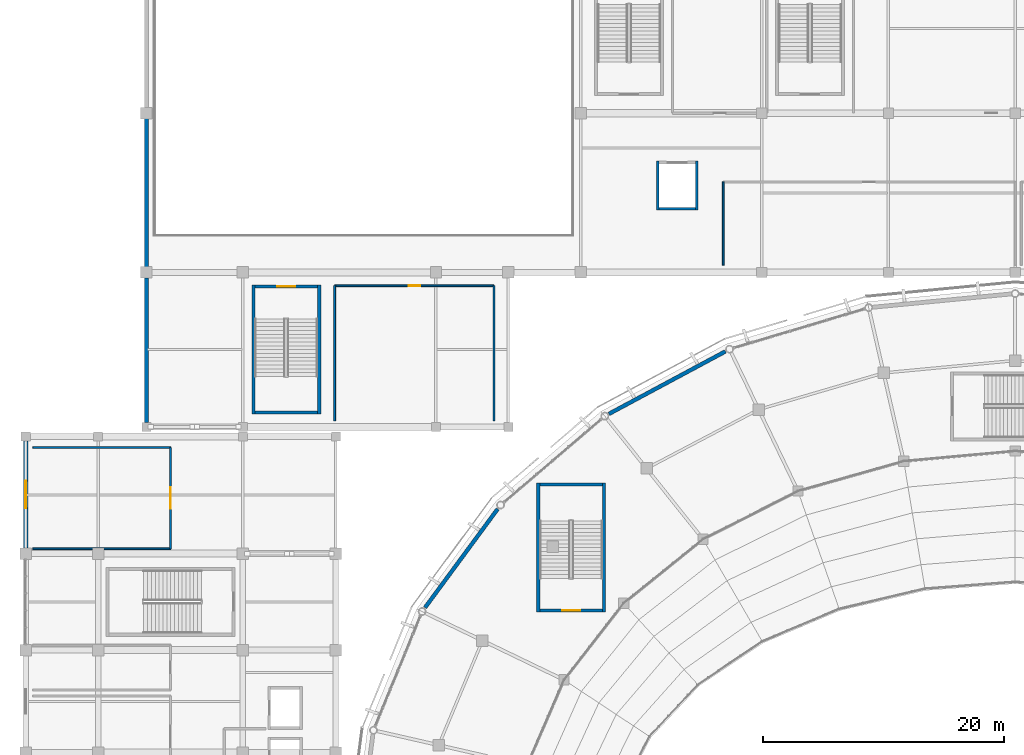
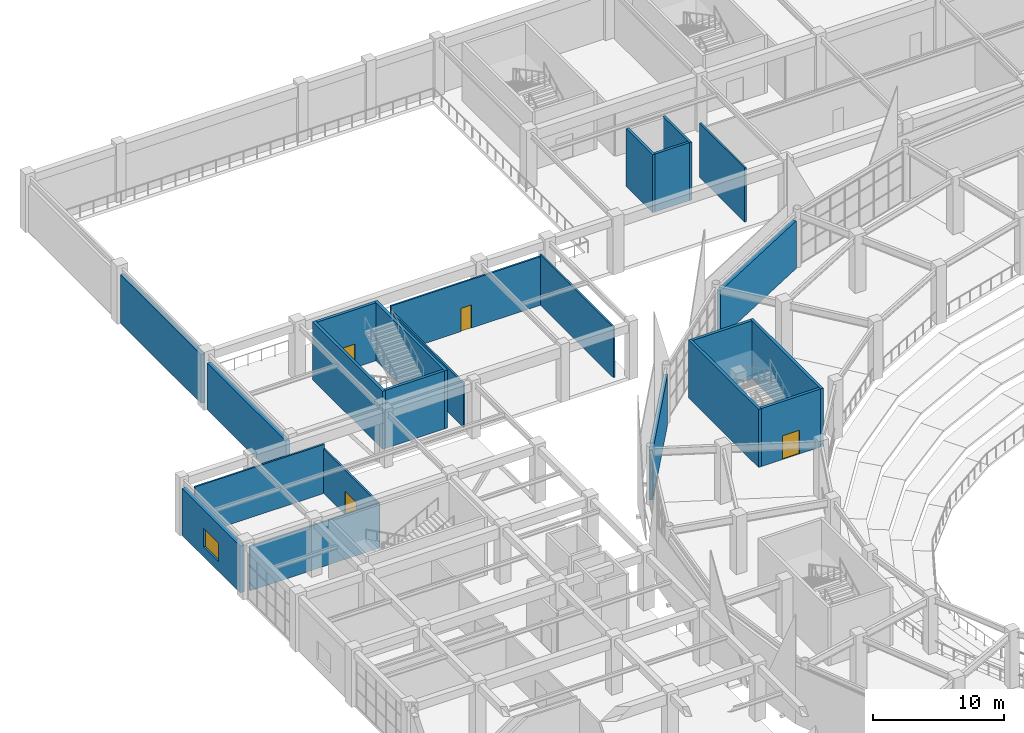
# One storey, part 78 of 120: 23 walls, 4 doors, 1 window, 5 openings.
"""IFC4 building model written with IfcOpenShell, lengths in metres."""

from ifc_helpers import new_model, si_unit, direction, frame, frame_2d, origin, place, context, subcontext, project, spatial, rectangle, extrude, material, layer, layer_set, type_object, element, fill, save


model = new_model("IFC4")

# Units and contexts
model_context = context("Model", 3, precision=1e-05, world=origin(), true_north=direction((0.0, 1.0)))
body_context = subcontext(model_context, "Body", "Model", "MODEL_VIEW")
ifc_project = project(units=[si_unit("LENGTHUNIT", "METRE"), si_unit("AREAUNIT", "SQUARE_METRE"), si_unit("VOLUMEUNIT", "CUBIC_METRE"), si_unit("PLANEANGLEUNIT", "RADIAN"), si_unit("MASSUNIT", "GRAM", prefix="KILO")], contexts=[model_context])

# Site, building, storey
site_placement = place(None, origin())
site = spatial("IfcSite", under=ifc_project, at=site_placement, CompositionType="ELEMENT")
building_placement = place(site_placement, origin())
building = spatial("IfcBuilding", under=site, at=building_placement, Name="Cuetzalor Civic Arena", CompositionType="ELEMENT")
storey_placement = place(building_placement, frame((0.0, 0.0, 6.0)))
storey = spatial("IfcBuildingStorey", under=building, at=storey_placement, Name="L01", CompositionType="ELEMENT", Elevation=6.0)

# Walls
ifc_material_1 = material(Name="Acoustic steel-stud gypsum partition", Category="steel")
ifc_layer_1 = layer(ifc_material_1, 0.14990234375)
ifc_layer_set_1 = layer_set([ifc_layer_1], Name="Acoustic steel-stud gypsum partition")
wall_type_1 = type_object("IfcWallType", Name="AcousticGypsumPartition_150", PredefinedType="PARTITIONING", material=ifc_layer_set_1)
wall_1_placement = place(storey_placement, frame((-81.39990234375, 33.800048828125, 0.0), z_axis=(0.0, 0.0, 1.0), x_axis=(1.0, 0.0, 0.0)))
element("IfcWall", 1, at=wall_1_placement, inside=storey, type_object=wall_type_1, Name="Interior Partition IWALL:L01:0213", PredefinedType="PARTITIONING", context=body_context, shape_type="SweptSolid", body=[
    extrude(rectangle(XDim=11.39990234375, YDim=0.14990234375, at=frame_2d((5.699951171875, 0.0))), origin(), (0.0, 0.0, 1.0), 4.56201171875),
])
wall_2_placement = place(storey_placement, frame((-70.0, 25.39990234375, 0.0), z_axis=(0.0, 0.0, 1.0), x_axis=(-1.0, 0.0, 0.0)))
element("IfcWall", 2, at=wall_2_placement, inside=storey, type_object=wall_type_1, Name="Interior Partition IWALL:L01:0214", PredefinedType="PARTITIONING", context=body_context, shape_type="SweptSolid", body=[
    extrude(rectangle(XDim=11.39990234375, YDim=0.14990234375, at=frame_2d((5.699951171875, 0.0))), origin(), (0.0, 0.0, 1.0), 4.14501953125),
])

# Wall, opening, door
wall_3_placement = place(storey_placement, frame((-70.0, 33.800048828125, 0.0), z_axis=(0.0, 0.0, 1.0), x_axis=(0.0, -1.0, 0.0)))
wall_3 = element("IfcWall", 3, at=wall_3_placement, inside=storey, type_object=wall_type_1, Name="Interior Partition IWALL:L01:0215", PredefinedType="PARTITIONING", context=body_context, shape_type="SweptSolid", body=[
    extrude(rectangle(XDim=8.400146484375, YDim=0.14990234375, at=frame_2d((4.2001953125, 0.0))), origin(), (0.0, 0.0, 1.0), 4.14501953125),
])
opening_1_placement = place(wall_3_placement, frame((3.300048828125, 0.0, 0.0)))
opening_1 = element("IfcOpeningElement", 4, at=opening_1_placement, cuts=wall_3, Name="Opening ID-06", PredefinedType="OPENING", context=body_context, shape_type="SweptSolid", body=[
    extrude(rectangle(XDim=1.800048828125, YDim=2.199951171875, at=frame_2d((0.89990234375, 1.10009765625))), frame((0.0, 0.0849609375, 0.0), z_axis=(0.0, -1.0, 0.0), x_axis=(1.0, 0.0, 0.0)), (0.0, 0.0, 1.0), 0.169921875),
])
ifc_material_2 = material(Name="Glazed bronze acoustic double door", Category="metal")
door_type_1 = type_object("IfcDoorType", Name="PublicDoubleDoor_1800x2200", OperationType="DOUBLE_DOOR_SINGLE_SWING", PredefinedType="DOOR", material=ifc_material_2)
door_1_placement = place(opening_1_placement, origin())
door_1 = element("IfcDoor", 5, at=door_1_placement, inside=storey, type_object=door_type_1, Name="Door to VIP Salon West North L01", OperationType="DOUBLE_DOOR_SINGLE_SWING", OverallHeight=2.199951171875, OverallWidth=1.800048828125, PredefinedType="DOOR", context=body_context, shape_type="SweptSolid", body=[
    extrude(rectangle(XDim=1.800048828125, YDim=2.199951171875, at=frame_2d((0.89990234375, 1.10009765625))), frame((0.0, 0.02490234375, 0.0), z_axis=(0.0, -1.0, 0.0), x_axis=(1.0, 0.0, 0.0)), (0.0, 0.0, 1.0), 0.050048828125),
])
fill(opening_1, door_1)

wall_4_placement = place(storey_placement, frame((-56.39990234375, 47.199951171875, 0.0), z_axis=(0.0, 0.0, 1.0), x_axis=(1.0, 0.0, 0.0)))
wall_4 = element("IfcWall", 6, at=wall_4_placement, inside=storey, type_object=wall_type_1, Name="Interior Partition IWALL:L01:0237", PredefinedType="PARTITIONING", context=body_context, shape_type="SweptSolid", body=[
    extrude(rectangle(XDim=13.199951171875, YDim=0.14990234375, at=frame_2d((6.60009765625, 0.0))), origin(), (0.0, 0.0, 1.0), 4.52197265625),
])
opening_2_placement = place(wall_4_placement, frame((6.125, 0.0, 0.0)))
opening_2 = element("IfcOpeningElement", 7, at=opening_2_placement, cuts=wall_4, Name="Opening ID-03", PredefinedType="OPENING", context=body_context, shape_type="SweptSolid", body=[
    extrude(rectangle(XDim=0.949951171875, YDim=2.14990234375, at=frame_2d((0.47509765625, 1.074951171875))), frame((0.0, 0.0849609375, 0.0), z_axis=(0.0, -1.0, 0.0), x_axis=(1.0, 0.0, 0.0)), (0.0, 0.0, 1.0), 0.169921875),
])
ifc_material_3 = material(Name="Painted steel frame and solid timber leaf", Category="steel")
door_type_2 = type_object("IfcDoorType", Name="InteriorSingleDoor_950x2150", OperationType="NOTDEFINED", PredefinedType="DOOR", material=ifc_material_3)
door_2_placement = place(opening_2_placement, origin())
door_2 = element("IfcDoor", 8, at=door_2_placement, inside=storey, type_object=door_type_2, Name="Door to Practice Court Viewing Mezzanine", OperationType="SINGLE_SWING_RIGHT", OverallHeight=2.14990234375, OverallWidth=0.949951171875, PredefinedType="DOOR", context=body_context, shape_type="SweptSolid", body=[
    extrude(rectangle(XDim=0.949951171875, YDim=2.14990234375, at=frame_2d((0.47509765625, 1.074951171875))), frame((0.0, 0.02490234375, 0.0), z_axis=(0.0, -1.0, 0.0), x_axis=(1.0, 0.0, 0.0)), (0.0, 0.0, 1.0), 0.050048828125),
])
fill(opening_2, door_2)

# Walls
wall_5_placement = place(storey_placement, frame((-43.199951171875, 47.199951171875, 0.0), z_axis=(0.0, 0.0, 1.0), x_axis=(0.0, -1.0, 0.0)))
element("IfcWall", 9, at=wall_5_placement, inside=storey, type_object=wall_type_1, Name="Interior Partition IWALL:L01:0238", PredefinedType="PARTITIONING", context=body_context, shape_type="SweptSolid", body=[
    extrude(rectangle(XDim=11.199951171875, YDim=0.14990234375, at=frame_2d((5.60009765625, 0.0))), origin(), (0.0, 0.0, 1.0), 4.699951171875),
])
wall_6_placement = place(storey_placement, frame((-56.39990234375, 36.0, 0.0), z_axis=(0.0, 0.0, 1.0), x_axis=(0.0, 1.0, 0.0)))
element("IfcWall", 10, at=wall_6_placement, inside=storey, type_object=wall_type_1, Name="Interior Partition IWALL:L01:0239", PredefinedType="PARTITIONING", context=body_context, shape_type="SweptSolid", body=[
    extrude(rectangle(XDim=11.199951171875, YDim=0.14990234375, at=frame_2d((5.60009765625, 0.0))), origin(), (0.0, 0.0, 1.0), 4.10498046875),
])
wall_7_placement = place(storey_placement, frame((-24.199951171875, 48.89990234375, 0.0), z_axis=(0.0, 0.0, 1.0), x_axis=(0.0, 1.0, 0.0)))
element("IfcWall", 11, at=wall_7_placement, inside=storey, type_object=wall_type_1, Name="Interior Partition IWALL:L01:0254", PredefinedType="PARTITIONING", context=body_context, shape_type="SweptSolid", body=[
    extrude(rectangle(XDim=6.900146484375, YDim=0.14990234375, at=frame_2d((3.4501953125, 0.0))), origin(), (0.0, 0.0, 1.0), 5.0400390625),
])
ifc_material_4 = material(Name="Dark volcanic basalt ashlar on Concrete C35/45", Category="masonry")
ifc_layer_2 = layer(ifc_material_4, 0.35009765625)
ifc_layer_set_2 = layer_set([ifc_layer_2], Name="Dark volcanic basalt ashlar on Concrete C35/45")
wall_type_2 = type_object("IfcWallType", Name="BasaltAshlarWall_350", PredefinedType="SOLIDWALL", material=ifc_layer_set_2)
wall_8_placement = place(storey_placement, frame((-72.0, 35.85693359375, 0.0), z_axis=(0.0, 0.0, 1.0), x_axis=(0.0, 1.0, 0.0)))
element("IfcWall", 12, at=wall_8_placement, inside=storey, type_object=wall_type_2, Name="North Wing West Basalt Wall L01-239", PredefinedType="SOLIDWALL", context=body_context, shape_type="SweptSolid", body=[
    extrude(rectangle(XDim=11.986083984375, YDim=0.35009765625, at=frame_2d((5.9931640625, 0.0))), origin(), (0.0, 0.0, 1.0), 4.320068359375),
])
wall_9_placement = place(storey_placement, frame((-72.0, 48.757080078125, 0.0), z_axis=(0.0, 0.0, 1.0), x_axis=(0.0, 1.0, 0.0)))
element("IfcWall", 13, at=wall_9_placement, inside=storey, type_object=wall_type_2, Name="North Wing West Basalt Wall L01-241", PredefinedType="SOLIDWALL", context=body_context, shape_type="SweptSolid", body=[
    extrude(rectangle(XDim=12.285888671875, YDim=0.35009765625, at=frame_2d((6.14306640625, 0.0))), origin(), (0.0, 0.0, 1.0), 4.537109375),
])
ifc_material_5 = material(Name="Concrete C40/50", Category="concrete")
ifc_layer_3 = layer(ifc_material_5, 0.25)
ifc_layer_set_3 = layer_set([ifc_layer_3], Name="Concrete C40/50")
wall_type_3 = type_object("IfcWallType", Name="ConcreteCoreShearWall_250", PredefinedType="SHEAR", material=ifc_layer_set_3)
wall_10_placement = place(storey_placement, frame((-39.52490234375, 20.14990234375, 0.0), z_axis=(0.0, 0.0, 1.0), x_axis=(0.0, 1.0, 0.0)))
element("IfcWall", 14, at=wall_10_placement, inside=storey, type_object=wall_type_3, Name="Stair Core Shear Wall ST-04-L01-W", PredefinedType="SHEAR", context=body_context, shape_type="SweptSolid", body=[
    extrude(rectangle(XDim=10.7001953125, YDim=0.25, at=frame_2d((5.35009765625, 0.0))), origin(), (0.0, 0.0, 1.0), 5.39990234375),
])
wall_11_placement = place(storey_placement, frame((-39.39990234375, 30.72509765625, 0.0), z_axis=(0.0, 0.0, 1.0), x_axis=(1.0, 0.0, 0.0)))
element("IfcWall", 15, at=wall_11_placement, inside=storey, type_object=wall_type_3, Name="Stair Core Shear Wall ST-04-L01-N", PredefinedType="SHEAR", context=body_context, shape_type="SweptSolid", body=[
    extrude(rectangle(XDim=5.199951171875, YDim=0.25, at=frame_2d((2.60009765625, 0.0))), origin(), (0.0, 0.0, 1.0), 5.39990234375),
])
wall_12_placement = place(storey_placement, frame((-34.074951171875, 30.85009765625, 0.0), z_axis=(0.0, 0.0, 1.0), x_axis=(0.0, -1.0, 0.0)))
element("IfcWall", 16, at=wall_12_placement, inside=storey, type_object=wall_type_3, Name="Stair Core Shear Wall ST-04-L01-E", PredefinedType="SHEAR", context=body_context, shape_type="SweptSolid", body=[
    extrude(rectangle(XDim=10.7001953125, YDim=0.25, at=frame_2d((5.35009765625, 0.0))), origin(), (0.0, 0.0, 1.0), 5.39990234375),
])

# Wall, opening, door
wall_13_placement = place(storey_placement, frame((-34.199951171875, 20.27490234375, 0.0), z_axis=(0.0, 0.0, 1.0), x_axis=(-1.0, 0.0, 0.0)))
wall_13 = element("IfcWall", 17, at=wall_13_placement, inside=storey, type_object=wall_type_3, Name="Stair Core Shear Wall ST-04-L01-S", PredefinedType="SHEAR", context=body_context, shape_type="SweptSolid", body=[
    extrude(rectangle(XDim=5.199951171875, YDim=0.25, at=frame_2d((2.60009765625, 0.0))), origin(), (0.0, 0.0, 1.0), 5.39990234375),
])
opening_3_placement = place(wall_13_placement, frame((1.85009765625, 0.0, 0.0)))
opening_3 = element("IfcOpeningElement", 18, at=opening_3_placement, cuts=wall_13, Name="Opening FD-03", PredefinedType="OPENING", context=body_context, shape_type="SweptSolid", body=[
    extrude(rectangle(XDim=1.5, YDim=2.199951171875, at=frame_2d((0.75, 1.10009765625))), frame((0.0, 0.135009765625, 0.0), z_axis=(0.0, -1.0, 0.0), x_axis=(1.0, 0.0, 0.0)), (0.0, 0.0, 1.0), 0.27001953125),
])
ifc_material_6 = material(Name="Fire-rated steel stair exit double door", Category="steel")
door_type_3 = type_object("IfcDoorType", Name="StairFireDoubleDoor_1500x2200", OperationType="DOUBLE_DOOR_SINGLE_SWING", PredefinedType="DOOR", material=ifc_material_6)
door_3_placement = place(opening_3_placement, origin())
door_3 = element("IfcDoor", 19, at=door_3_placement, inside=storey, type_object=door_type_3, Name="Fire Stair Door ST-04 L01", OperationType="DOUBLE_DOOR_SINGLE_SWING", OverallHeight=2.199951171875, OverallWidth=1.5, PredefinedType="DOOR", context=body_context, shape_type="SweptSolid", body=[
    extrude(rectangle(XDim=1.5, YDim=2.199951171875, at=frame_2d((0.75, 1.10009765625))), frame((0.0, 0.02490234375, 0.0), z_axis=(0.0, -1.0, 0.0), x_axis=(1.0, 0.0, 0.0)), (0.0, 0.0, 1.0), 0.050048828125),
])
fill(opening_3, door_3)

# Wall
wall_14_placement = place(storey_placement, frame((-63.125, 36.550048828125, 0.0), z_axis=(0.0, 0.0, 1.0), x_axis=(0.0, 1.0, 0.0)))
element("IfcWall", 20, at=wall_14_placement, inside=storey, type_object=wall_type_3, Name="Stair Core Shear Wall ST-23-L01-W", PredefinedType="SHEAR", context=body_context, shape_type="SweptSolid", body=[
    extrude(rectangle(XDim=10.699951171875, YDim=0.25, at=frame_2d((5.35009765625, 0.0))), origin(), (0.0, 0.0, 1.0), 5.39990234375),
])

# Wall, opening, door
wall_15_placement = place(storey_placement, frame((-63.0, 47.125, 0.0), z_axis=(0.0, 0.0, 1.0), x_axis=(1.0, 0.0, 0.0)))
wall_15 = element("IfcWall", 21, at=wall_15_placement, inside=storey, type_object=wall_type_3, Name="Stair Core Shear Wall ST-23-L01-N", PredefinedType="SHEAR", context=body_context, shape_type="SweptSolid", body=[
    extrude(rectangle(XDim=5.199951171875, YDim=0.25, at=frame_2d((2.60009765625, 0.0))), origin(), (0.0, 0.0, 1.0), 5.39990234375),
])
opening_4_placement = place(wall_15_placement, frame((1.85009765625, 0.0, 0.0)))
opening_4 = element("IfcOpeningElement", 22, at=opening_4_placement, cuts=wall_15, Name="Opening FD-03", PredefinedType="OPENING", context=body_context, shape_type="SweptSolid", body=[
    extrude(rectangle(XDim=1.5, YDim=2.199951171875, at=frame_2d((0.75, 1.10009765625))), frame((0.0, 0.135009765625, 0.0), z_axis=(0.0, -1.0, 0.0), x_axis=(1.0, 0.0, 0.0)), (0.0, 0.0, 1.0), 0.27001953125),
])
door_4_placement = place(opening_4_placement, origin())
door_4 = element("IfcDoor", 23, at=door_4_placement, inside=storey, type_object=door_type_3, Name="Fire Stair Door ST-23 L01", OperationType="DOUBLE_DOOR_SINGLE_SWING", OverallHeight=2.199951171875, OverallWidth=1.5, PredefinedType="DOOR", context=body_context, shape_type="SweptSolid", body=[
    extrude(rectangle(XDim=1.5, YDim=2.199951171875, at=frame_2d((0.75, 1.10009765625))), frame((0.0, 0.02490234375, 0.0), z_axis=(0.0, -1.0, 0.0), x_axis=(1.0, 0.0, 0.0)), (0.0, 0.0, 1.0), 0.050048828125),
])
fill(opening_4, door_4)

# Walls
wall_16_placement = place(storey_placement, frame((-57.675048828125, 47.25, 0.0), z_axis=(0.0, 0.0, 1.0), x_axis=(0.0, -1.0, 0.0)))
element("IfcWall", 24, at=wall_16_placement, inside=storey, type_object=wall_type_3, Name="Stair Core Shear Wall ST-23-L01-E", PredefinedType="SHEAR", context=body_context, shape_type="SweptSolid", body=[
    extrude(rectangle(XDim=10.699951171875, YDim=0.25, at=frame_2d((5.35009765625, 0.0))), origin(), (0.0, 0.0, 1.0), 5.39990234375),
])
wall_17_placement = place(storey_placement, frame((-57.800048828125, 36.675048828125, 0.0), z_axis=(0.0, 0.0, 1.0), x_axis=(-1.0, 0.0, 0.0)))
element("IfcWall", 25, at=wall_17_placement, inside=storey, type_object=wall_type_3, Name="Stair Core Shear Wall ST-23-L01-S", PredefinedType="SHEAR", context=body_context, shape_type="SweptSolid", body=[
    extrude(rectangle(XDim=5.199951171875, YDim=0.25, at=frame_2d((2.60009765625, 0.0))), origin(), (0.0, 0.0, 1.0), 5.39990234375),
])
ifc_material_7 = material(Name="Precast concrete C40/50 insulated cladding", Category="concrete")
ifc_layer_4 = layer(ifc_material_7, 0.320068359375)
ifc_layer_set_4 = layer_set([ifc_layer_4], Name="Precast concrete C40/50 insulated cladding")
wall_type_4 = type_object("IfcWallType", Name="InsulatedPrecastWall_320", PredefinedType="SOLIDWALL", material=ifc_layer_set_4)
wall_18_placement = place(storey_placement, frame((-33.663330078125, 36.580810546875, 0.0), z_axis=(0.0, 0.0, 1.0), x_axis=(0.881305503949, 0.472546938102, 0.0)))
element("IfcWall", 26, at=wall_18_placement, inside=storey, type_object=wall_type_4, Name="Drum Acoustic Backing Wall L01-014", PredefinedType="SOLIDWALL", context=body_context, shape_type="SweptSolid", body=[
    extrude(rectangle(XDim=10.9462890625, YDim=0.320068359375, at=frame_2d((5.47314453125, 0.0))), origin(), (0.0, 0.0, 1.0), 4.431884765625),
])
wall_19_placement = place(storey_placement, frame((-48.90576171875, 20.526123046875, 0.0), z_axis=(0.0, 0.0, 1.0), x_axis=(0.592929724135, 0.805254209698, 0.0)))
element("IfcWall", 27, at=wall_19_placement, inside=storey, type_object=wall_type_4, Name="Drum Acoustic Backing Wall L01-015", PredefinedType="SOLIDWALL", context=body_context, shape_type="SweptSolid", body=[
    extrude(rectangle(XDim=10.14404296875, YDim=0.320068359375, at=frame_2d((5.072021484375, 0.0))), origin(), (0.0, 0.0, 1.0), 4.653076171875),
])
ifc_material_8 = material(Name="Concrete C40/50", Category="concrete")
ifc_layer_5 = layer(ifc_material_8, 0.219970703125)
ifc_layer_set_5 = layer_set([ifc_layer_5], Name="Concrete C40/50")
wall_type_5 = type_object("IfcWallType", Name="LiftShaftShearWall_220", PredefinedType="SHEAR", material=ifc_layer_set_5)
for number, where, z_axis, x_axis, name in (
    (28, (-29.610107421875, 53.47998046875, 0.0), (0.0, 0.0, 1.0), (0.0, 1.0, 0.0), "Lift Shaft Wall LS-01-L01-W"),
    (29, (-26.389892578125, 57.52001953125, 0.0), (0.0, 0.0, 1.0), (0.0, -1.0, 0.0), "Lift Shaft Wall LS-01-L01-E"),
):
    element("IfcWall", number, at=place(storey_placement, frame(where, z_axis=z_axis, x_axis=x_axis)), inside=storey, type_object=wall_type_5, Name=name, PredefinedType="SHEAR", context=body_context, shape_type="SweptSolid", body=[
        extrude(rectangle(XDim=4.0400390625, YDim=0.219970703125, at=frame_2d((2.02001953125, 0.0))), origin(), (0.0, 0.0, 1.0), 5.39990234375),
    ])
wall_20_placement = place(storey_placement, frame((-26.5, 53.590087890625, 0.0), z_axis=(0.0, 0.0, 1.0), x_axis=(-1.0, 0.0, 0.0)))
element("IfcWall", 30, at=wall_20_placement, inside=storey, type_object=wall_type_5, Name="Lift Shaft Wall LS-01-L01-S", PredefinedType="SHEAR", context=body_context, shape_type="SweptSolid", body=[
    extrude(rectangle(XDim=3.0, YDim=0.219970703125, at=frame_2d((1.5, 0.0))), origin(), (0.0, 0.0, 1.0), 5.39990234375),
])

# Wall, opening, window
ifc_material_9 = material(Name="Polychrome Talavera ceramic on Concrete C35/45", Category="concrete")
ifc_layer_6 = layer(ifc_material_9, 0.3798828125)
ifc_layer_set_6 = layer_set([ifc_layer_6], Name="Polychrome Talavera ceramic on Concrete C35/45")
wall_type_6 = type_object("IfcWallType", Name="TalaveraSpandrelWall_380", PredefinedType="SOLIDWALL", material=ifc_layer_set_6)
wall_21_placement = place(storey_placement, frame((-82.0, 25.45703125, 0.0), z_axis=(0.0, 0.0, 1.0), x_axis=(0.0, 1.0, 0.0)))
wall_21 = element("IfcWall", 31, at=wall_21_placement, inside=storey, type_object=wall_type_6, Name="V4W Outer Talavera Wall L01-130", PredefinedType="SOLIDWALL", context=body_context, shape_type="SweptSolid", body=[
    extrude(rectangle(XDim=8.885986328125, YDim=0.3798828125, at=frame_2d((4.44287109375, 0.0))), origin(), (0.0, 0.0, 1.0), 4.360107421875),
])
opening_5_placement = place(wall_21_placement, frame((3.318115234375, 0.0, 0.89990234375)))
opening_5 = element("IfcOpeningElement", 32, at=opening_5_placement, cuts=wall_21, Name="Opening WN-25", PredefinedType="OPENING", context=body_context, shape_type="SweptSolid", body=[
    extrude(rectangle(XDim=2.25, YDim=1.75, at=frame_2d((1.125, 0.875))), frame((0.0, 0.199951171875, 0.0), z_axis=(0.0, -1.0, 0.0), x_axis=(1.0, 0.0, 0.0)), (0.0, 0.0, 1.0), 0.39990234375),
])
ifc_material_10 = material(Name="Anodised bronze aluminium and low-E solar glass", Category="aluminium")
window_type = type_object("IfcWindowType", Name="BronzeThermalWindow_2250x1750", PartitioningType="DOUBLE_PANEL_VERTICAL", PredefinedType="WINDOW", material=ifc_material_10)
window_placement = place(opening_5_placement, origin())
window = element("IfcWindow", 33, at=window_placement, inside=storey, type_object=window_type, Name="V4W Facade Window L01-0025", OverallHeight=1.75, OverallWidth=2.25, PartitioningType="SINGLE_PANEL", PredefinedType="WINDOW", context=body_context, shape_type="SweptSolid", body=[
    extrude(rectangle(XDim=2.25, YDim=1.75, at=frame_2d((1.125, 0.875))), frame((0.0, 0.030029296875, 0.0), z_axis=(0.0, -1.0, 0.0), x_axis=(1.0, 0.0, 0.0)), (0.0, 0.0, 1.0), 0.06005859375),
])
fill(opening_5, window)

save(model, "model.ifc")
